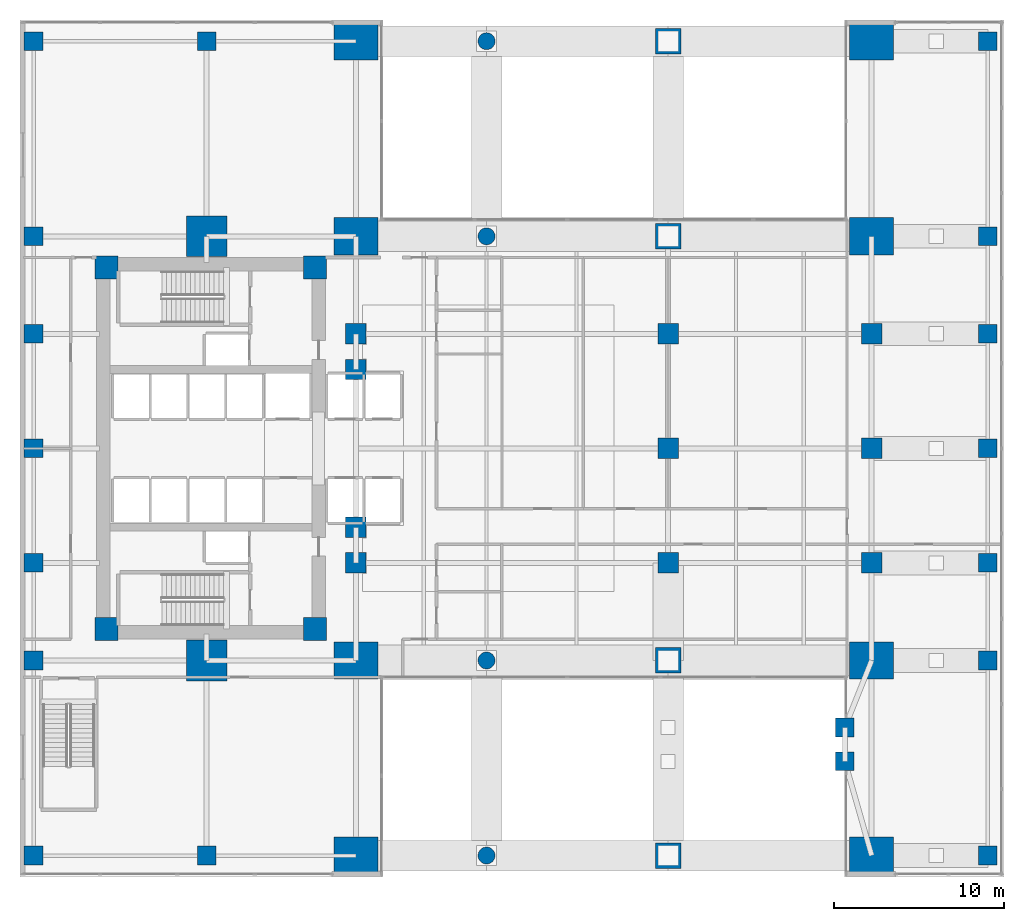
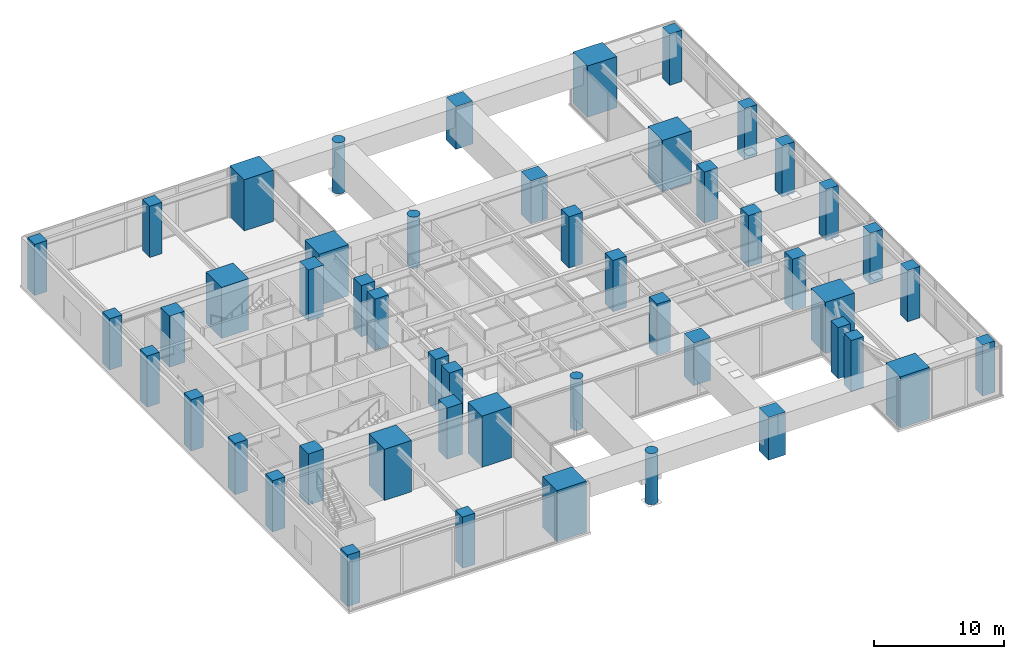
# One storey, part 1 of 13: 50 columns.
"""IFC4 building model written with IfcOpenShell, lengths in metres."""

from ifc_helpers import new_model, si_unit, direction, frame, origin, origin_2d, place, context, subcontext, project, spatial, rectangle, circle, extrude, material, material_profile, profile_set, type_object, element, save


model = new_model("IFC4")

# Units and contexts
model_context = context("Model", 3, precision=1e-05, world=origin(), true_north=direction((0.0, 1.0)))
body_context = subcontext(model_context, "Body", "Model", "MODEL_VIEW")
ifc_project = project(units=[si_unit("LENGTHUNIT", "METRE"), si_unit("AREAUNIT", "SQUARE_METRE"), si_unit("VOLUMEUNIT", "CUBIC_METRE"), si_unit("PLANEANGLEUNIT", "RADIAN"), si_unit("MASSUNIT", "GRAM", prefix="KILO")], contexts=[model_context])

# Site, building, storey
site_placement = place(None, origin())
site = spatial("IfcSite", under=ifc_project, at=site_placement, CompositionType="ELEMENT")
building_placement = place(site_placement, origin())
building = spatial("IfcBuilding", under=site, at=building_placement, Name="Kinhvarn Gate Tower", CompositionType="ELEMENT")
storey_placement = place(building_placement, frame((0.0, 0.0, 15.60009765625)))
storey = spatial("IfcBuildingStorey", under=building, at=storey_placement, Name="L03", CompositionType="ELEMENT", Elevation=15.60009765625)

# Columns
ifc_material_1 = material(Name="Concrete C70/85", Category="concrete")
ifc_material_profile_1 = material_profile(ifc_material_1, rectangle(XDim=2.60009765625, YDim=2.199951171875, at=origin_2d()), Name="RC 2600x2200")
ifc_profile_set_1 = profile_set([ifc_material_profile_1], Name="Concrete C70/85")
column_type_1 = type_object("IfcColumnType", Name="COL-AP-2600", PredefinedType="COLUMN", material=ifc_profile_set_1)
for number, where, z_axis, x_axis, name in (
    (1, (19.800048828125, 1.25, 0.0), (0.0, 0.0, 1.0), (1.0, 0.0, 0.0), "Column APW-1-L03 (AP-01)"),
    (2, (50.199951171875, 1.25, 0.0), (0.0, 0.0, 1.0), (1.0, 0.0, 0.0), "Column APE-1-L03 (AP-01)"),
    (3, (19.800048828125, 12.75, 0.0), (0.0, 0.0, 1.0), (1.0, 0.0, 0.0), "Column APW-2-L03 (AP-01)"),
    (4, (50.199951171875, 12.75, 0.0), (0.0, 0.0, 1.0), (1.0, 0.0, 0.0), "Column APE-2-L03 (AP-01)"),
    (5, (19.800048828125, 37.75, 0.0), (0.0, 0.0, 1.0), (1.0, 0.0, 0.0), "Column APW-3-L03 (AP-01)"),
    (6, (50.199951171875, 37.75, 0.0), (0.0, 0.0, 1.0), (1.0, 0.0, 0.0), "Column APE-3-L03 (AP-01)"),
    (7, (19.800048828125, 49.25, 0.0), (0.0, 0.0, 1.0), (1.0, 0.0, 0.0), "Column APW-4-L03 (AP-01)"),
    (8, (50.199951171875, 49.25, 0.0), (0.0, 0.0, 1.0), (1.0, 0.0, 0.0), "Column APE-4-L03 (AP-01)"),
):
    element("IfcColumn", number, at=place(storey_placement, frame(where, z_axis=z_axis, x_axis=x_axis)), inside=storey, type_object=column_type_1, Name=name, PredefinedType="COLUMN", context=body_context, shape_type="SweptSolid", body=[
        extrude(rectangle(XDim=2.60009765625, YDim=2.199951171875, at=origin_2d()), origin(), (0.0, 0.0, 1.0), 4.7998046875),
    ])
ifc_material_2 = material(Name="Concrete C60/75", Category="concrete")
ifc_material_profile_2 = material_profile(ifc_material_2, circle(Radius=0.5, at=origin_2d()), Name="RC D1000")
ifc_profile_set_2 = profile_set([ifc_material_profile_2], Name="Concrete C60/75")
column_type_2 = type_object("IfcColumnType", Name="COL-CIR-1000", PredefinedType="COLUMN", material=ifc_profile_set_2)
for number, where, z_axis, x_axis, name in (
    (9, (27.5, 1.25, 0.0), (0.0, 0.0, 1.0), (1.0, 0.0, 0.0), "Portal Arch West Spandrel Column 1"),
    (10, (27.5, 12.75, 0.0), (0.0, 0.0, 1.0), (1.0, 0.0, 0.0), "Portal Arch West Spandrel Column 2"),
    (11, (27.5, 37.75, 0.0), (0.0, 0.0, 1.0), (1.0, 0.0, 0.0), "Portal Arch West Spandrel Column 3"),
    (12, (27.5, 49.25, 0.0), (0.0, 0.0, 1.0), (1.0, 0.0, 0.0), "Portal Arch West Spandrel Column 4"),
):
    element("IfcColumn", number, at=place(storey_placement, frame(where, z_axis=z_axis, x_axis=x_axis)), inside=storey, type_object=column_type_2, Name=name, PredefinedType="COLUMN", context=body_context, shape_type="SweptSolid", body=[
        extrude(circle(Radius=0.5, at=origin_2d()), origin(), (0.0, 0.0, 1.0), 4.7998046875),
    ])
ifc_material_3 = material(Name="Concrete C50/60", Category="concrete")
ifc_material_profile_3 = material_profile(ifc_material_3, rectangle(XDim=1.5, YDim=1.5, at=origin_2d()), Name="RC 1500x1500")
ifc_profile_set_3 = profile_set([ifc_material_profile_3], Name="Concrete C50/60")
column_type_3 = type_object("IfcColumnType", Name="COL-MC-1500", PredefinedType="COLUMN", material=ifc_profile_set_3)
for number, where, z_axis, x_axis, name in (
    (13, (38.199951171875, 1.25, 0.7998046875), (0.0, 0.0, 1.0), (1.0, 0.0, 0.0), "Portal Arch East Spandrel Column 1"),
    (14, (38.199951171875, 12.75, 0.7998046875), (0.0, 0.0, 1.0), (1.0, 0.0, 0.0), "Portal Arch East Spandrel Column 2"),
    (15, (38.199951171875, 37.75, 0.7998046875), (0.0, 0.0, 1.0), (1.0, 0.0, 0.0), "Portal Arch East Spandrel Column 3"),
    (16, (38.199951171875, 49.25, 0.7998046875), (0.0, 0.0, 1.0), (1.0, 0.0, 0.0), "Portal Arch East Spandrel Column 4"),
):
    element("IfcColumn", number, at=place(storey_placement, frame(where, z_axis=z_axis, x_axis=x_axis)), inside=storey, type_object=column_type_3, Name=name, PredefinedType="COLUMN", context=body_context, shape_type="SweptSolid", body=[
        extrude(rectangle(XDim=1.5, YDim=1.5, at=origin_2d()), origin(), (0.0, 0.0, 1.0), 4.0),
    ])
ifc_material_profile_4 = material_profile(ifc_material_1, rectangle(XDim=2.39990234375, YDim=2.39990234375, at=origin_2d()), Name="RC 2400x2400")
ifc_profile_set_4 = profile_set([ifc_material_profile_4], Name="Concrete C70/85")
column_type_4 = type_object("IfcColumnType", Name="COL-MC-2400", PredefinedType="COLUMN", material=ifc_profile_set_4)
for number, where, z_axis, x_axis, name in (
    (17, (11.0, 12.75, 0.0), (0.0, 0.0, 1.0), (1.0, 0.0, 0.0), "Column MC1-L03 (MC-24)"),
    (18, (11.0, 37.75, 0.0), (0.0, 0.0, 1.0), (1.0, 0.0, 0.0), "Column MC4-L03 (MC-24)"),
):
    element("IfcColumn", number, at=place(storey_placement, frame(where, z_axis=z_axis, x_axis=x_axis)), inside=storey, type_object=column_type_4, Name=name, PredefinedType="COLUMN", context=body_context, shape_type="SweptSolid", body=[
        extrude(rectangle(XDim=2.39990234375, YDim=2.39990234375, at=origin_2d()), origin(), (0.0, 0.0, 1.0), 4.7998046875),
    ])
ifc_material_profile_5 = material_profile(ifc_material_2, rectangle(XDim=1.10009765625, YDim=1.10009765625, at=origin_2d()), Name="RC 1100x1100")
ifc_profile_set_5 = profile_set([ifc_material_profile_5], Name="Concrete C60/75")
column_type_5 = type_object("IfcColumnType", Name="COL-RC-1100", PredefinedType="COLUMN", material=ifc_profile_set_5)
for number, where, z_axis, x_axis, name in (
    (19, (0.800048828125, 1.25, 0.0), (0.0, 0.0, 1.0), (1.0, 0.0, 0.0), "Column PW-1-L03 (C-110)"),
    (20, (57.050048828125, 1.25, 0.0), (0.0, 0.0, 1.0), (1.0, 0.0, 0.0), "Column PE-1-L03 (C-110)"),
    (21, (0.800048828125, 12.75, 0.0), (0.0, 0.0, 1.0), (1.0, 0.0, 0.0), "Column PW-2-L03 (C-110)"),
    (22, (57.050048828125, 12.75, 0.0), (0.0, 0.0, 1.0), (1.0, 0.0, 0.0), "Column PE-2-L03 (C-110)"),
    (23, (0.800048828125, 18.5, 0.0), (0.0, 0.0, 1.0), (1.0, 0.0, 0.0), "Column PW-3-L03 (C-110)"),
    (24, (57.050048828125, 18.5, 0.0), (0.0, 0.0, 1.0), (1.0, 0.0, 0.0), "Column PE-3-L03 (C-110)"),
    (25, (0.800048828125, 25.25, 0.0), (0.0, 0.0, 1.0), (1.0, 0.0, 0.0), "Column PW-4-L03 (C-110)"),
    (26, (57.050048828125, 25.25, 0.0), (0.0, 0.0, 1.0), (1.0, 0.0, 0.0), "Column PE-4-L03 (C-110)"),
    (27, (0.800048828125, 32.0, 0.0), (0.0, 0.0, 1.0), (1.0, 0.0, 0.0), "Column PW-5-L03 (C-110)"),
    (28, (57.050048828125, 32.0, 0.0), (0.0, 0.0, 1.0), (1.0, 0.0, 0.0), "Column PE-5-L03 (C-110)"),
    (29, (0.800048828125, 37.75, 0.0), (0.0, 0.0, 1.0), (1.0, 0.0, 0.0), "Column PW-6-L03 (C-110)"),
    (30, (57.050048828125, 37.75, 0.0), (0.0, 0.0, 1.0), (1.0, 0.0, 0.0), "Column PE-6-L03 (C-110)"),
    (31, (0.800048828125, 49.25, 0.0), (0.0, 0.0, 1.0), (1.0, 0.0, 0.0), "Column PW-7-L03 (C-110)"),
    (32, (57.050048828125, 49.25, 0.0), (0.0, 0.0, 1.0), (1.0, 0.0, 0.0), "Column PE-7-L03 (C-110)"),
    (33, (11.0, 1.25, 0.0), (0.0, 0.0, 1.0), (1.0, 0.0, 0.0), "Column P11-S-L03 (C-110)"),
    (34, (11.0, 49.25, 0.0), (0.0, 0.0, 1.0), (1.0, 0.0, 0.0), "Column P11-N-L03 (C-110)"),
    (35, (48.6201171875, 6.800048828125, 0.0), (0.0, 0.0, 1.0), (1.0, 0.0, 0.0), "Column CS-SE1-L03 (C-110)"),
    (36, (48.6201171875, 8.800048828125, 0.0), (0.0, 0.0, 1.0), (1.0, 0.0, 0.0), "Column CS-SE1B-L03 (C-110)"),
):
    element("IfcColumn", number, at=place(storey_placement, frame(where, z_axis=z_axis, x_axis=x_axis)), inside=storey, type_object=column_type_5, Name=name, PredefinedType="COLUMN", context=body_context, shape_type="SweptSolid", body=[
        extrude(rectangle(XDim=1.10009765625, YDim=1.10009765625, at=origin_2d()), origin(), (0.0, 0.0, 1.0), 4.7998046875),
    ])
ifc_material_profile_6 = material_profile(ifc_material_2, rectangle(XDim=1.199951171875, YDim=1.199951171875, at=origin_2d()), Name="RC 1200x1200")
ifc_profile_set_6 = profile_set([ifc_material_profile_6], Name="Concrete C60/75")
column_type_6 = type_object("IfcColumnType", Name="COL-RC-1200", PredefinedType="COLUMN", material=ifc_profile_set_6)
for number, where, z_axis, x_axis, name in (
    (37, (38.199951171875, 18.5, 0.0), (0.0, 0.0, 1.0), (1.0, 0.0, 0.0), "Column SP38-E1-L03 (C-120)"),
    (38, (38.199951171875, 25.25, 0.0), (0.0, 0.0, 1.0), (1.0, 0.0, 0.0), "Column SP38-E2-L03 (C-120)"),
    (39, (38.199951171875, 32.0, 0.0), (0.0, 0.0, 1.0), (1.0, 0.0, 0.0), "Column SP38-E3-L03 (C-120)"),
    (40, (19.800048828125, 18.5, 0.0), (0.0, 0.0, 1.0), (1.0, 0.0, 0.0), "Column APW-M1-L03 (C-120)"),
    (41, (19.800048828125, 20.60009765625, 0.0), (0.0, 0.0, 1.0), (1.0, 0.0, 0.0), "Column APW-M2-L03 (C-120)"),
    (42, (19.800048828125, 29.89990234375, 0.0), (0.0, 0.0, 1.0), (1.0, 0.0, 0.0), "Column APW-M3-L03 (C-120)"),
    (43, (19.800048828125, 32.0, 0.0), (0.0, 0.0, 1.0), (1.0, 0.0, 0.0), "Column APW-M4-L03 (C-120)"),
    (44, (50.199951171875, 18.5, 0.0), (0.0, 0.0, 1.0), (1.0, 0.0, 0.0), "Column APE-M1-L03 (C-120)"),
    (45, (50.199951171875, 25.25, 0.0), (0.0, 0.0, 1.0), (1.0, 0.0, 0.0), "Column APE-M2-L03 (C-120)"),
    (46, (50.199951171875, 32.0, 0.0), (0.0, 0.0, 1.0), (1.0, 0.0, 0.0), "Column APE-M3-L03 (C-120)"),
):
    element("IfcColumn", number, at=place(storey_placement, frame(where, z_axis=z_axis, x_axis=x_axis)), inside=storey, type_object=column_type_6, Name=name, PredefinedType="COLUMN", context=body_context, shape_type="SweptSolid", body=[
        extrude(rectangle(XDim=1.199951171875, YDim=1.199951171875, at=origin_2d()), origin(), (0.0, 0.0, 1.0), 4.7998046875),
    ])
ifc_material_profile_7 = material_profile(ifc_material_1, rectangle(XDim=1.35009765625, YDim=1.35009765625, at=origin_2d()), Name="RC 1350x1350")
ifc_profile_set_7 = profile_set([ifc_material_profile_7], Name="Concrete C70/85")
column_type_7 = type_object("IfcColumnType", Name="PIL-RC-1350", PredefinedType="PILASTER", material=ifc_profile_set_7)
for number, where, z_axis, x_axis, name in (
    (47, (5.10009765625, 14.60009765625, 0.0), (0.0, 0.0, 1.0), (1.0, 0.0, 0.0), "Column CC-SW-L03 (CP-135)"),
    (48, (5.10009765625, 35.89990234375, 0.0), (0.0, 0.0, 1.0), (1.0, 0.0, 0.0), "Column CC-NW-L03 (CP-135)"),
    (49, (17.39990234375, 14.60009765625, 0.0), (0.0, 0.0, 1.0), (1.0, 0.0, 0.0), "Column CC-SE-L03 (CP-135)"),
    (50, (17.39990234375, 35.89990234375, 0.0), (0.0, 0.0, 1.0), (1.0, 0.0, 0.0), "Column CC-NE-L03 (CP-135)"),
):
    element("IfcColumn", number, at=place(storey_placement, frame(where, z_axis=z_axis, x_axis=x_axis)), inside=storey, type_object=column_type_7, Name=name, PredefinedType="PILASTER", context=body_context, shape_type="SweptSolid", body=[
        extrude(rectangle(XDim=1.35009765625, YDim=1.35009765625, at=origin_2d()), origin(), (0.0, 0.0, 1.0), 4.7998046875),
    ])

save(model, "model.ifc")
